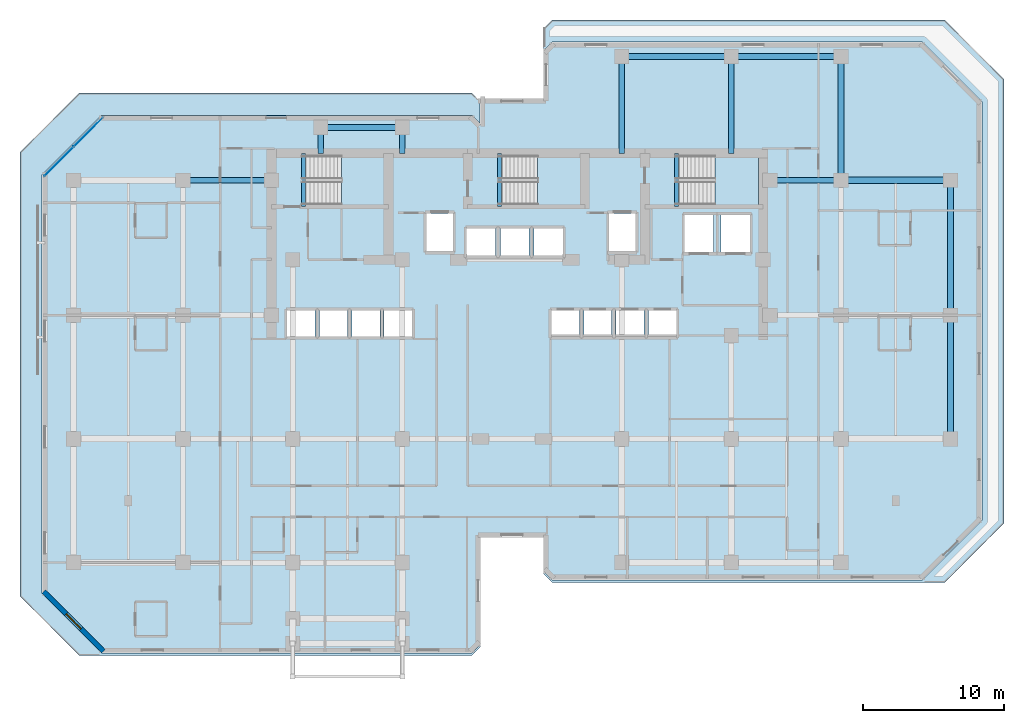
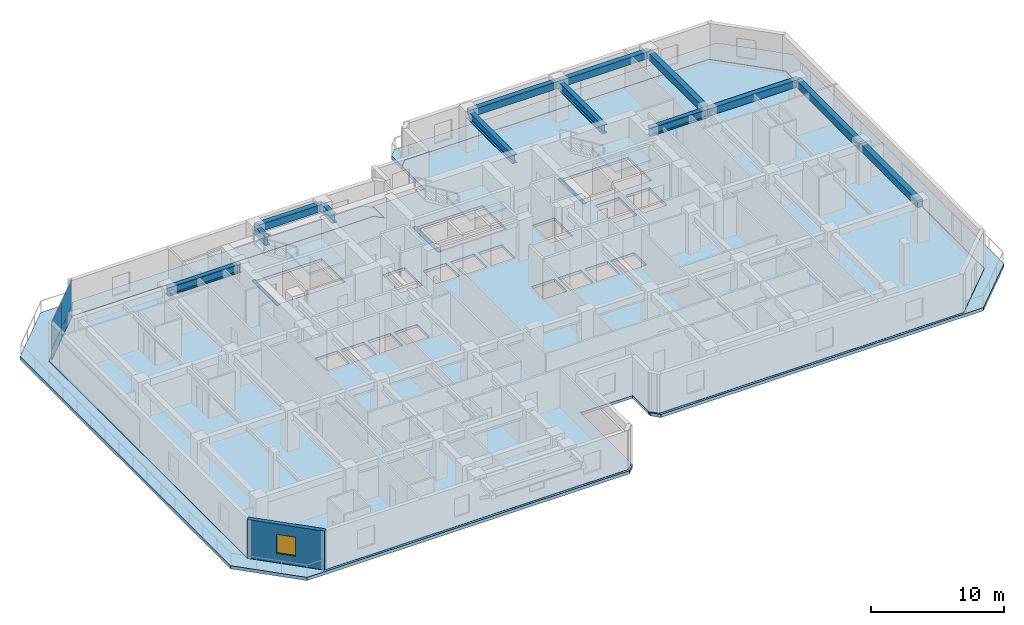
# One storey, part 4 of 11: 16 beams, 6 slabs, 4 plates, 1 wall, 1 window, 1 opening, 4 elements without a shape of their own.
"""IFC4 building model written with IfcOpenShell, lengths in metres."""

from ifc_helpers import new_model, si_unit, direction, frame, frame_2d, origin, origin_2d, place, context, subcontext, project, spatial, polyline, rectangle, i_section, outline, extrude, material, layer, layer_set, material_profile, profile_set, type_object, element, fill, aggregate, save


model = new_model("IFC4")

# Units and contexts
model_context = context("Model", 3, precision=1e-05, world=origin(), true_north=direction((0.0, 1.0)))
body_context = subcontext(model_context, "Body", "Model", "MODEL_VIEW")
ifc_project = project(units=[si_unit("LENGTHUNIT", "METRE"), si_unit("AREAUNIT", "SQUARE_METRE"), si_unit("VOLUMEUNIT", "CUBIC_METRE"), si_unit("PLANEANGLEUNIT", "RADIAN"), si_unit("MASSUNIT", "GRAM", prefix="KILO")], contexts=[model_context])

# Site, building, storey
site_placement = place(None, origin())
site = spatial("IfcSite", under=ifc_project, at=site_placement, CompositionType="ELEMENT")
building_placement = place(site_placement, origin())
building = spatial("IfcBuilding", under=site, at=building_placement, Name="Kestravale Grand Hotel", CompositionType="ELEMENT")
storey_placement = place(building_placement, frame((0.0, 0.0, 134.60009765625)))
storey = spatial("IfcBuildingStorey", under=building, at=storey_placement, Name="L33", CompositionType="ELEMENT", Elevation=134.60009765625)

# Beams
ifc_material_1 = material(Name="Concrete f'c 45 MPa", Category="concrete")
ifc_material_profile_1 = material_profile(ifc_material_1, rectangle(XDim=0.300048828125, YDim=0.39990234375, at=origin_2d()))
ifc_profile_set_1 = profile_set([ifc_material_profile_1], Name="Concrete f'c 45 MPa")
beam_type_1 = type_object("IfcBeamType", Name="B-FLR-LNT400", PredefinedType="LINTEL", material=ifc_profile_set_1)
for number, where, z_axis, x_axis, name in (
    (1, (24.159912109375, 36.52001953125, -0.2001953125), (0.0, 1.0, 0.0), (-1.0, 0.0, 0.0), "L33 ST1 flight bottom header beam"),
    (2, (38.110107421875, 36.52001953125, -0.2001953125), (0.0, 1.0, 0.0), (-1.0, 0.0, 0.0), "L33 ST2 flight bottom header beam"),
    (3, (50.7099609375, 36.52001953125, -0.2001953125), (0.0, 1.0, 0.0), (-1.0, 0.0, 0.0), "L33 ST3 flight bottom header beam"),
):
    element("IfcBeam", number, at=place(storey_placement, frame(where, z_axis=z_axis, x_axis=x_axis)), inside=storey, type_object=beam_type_1, Name=name, PredefinedType="LINTEL", context=body_context, shape_type="SweptSolid", body=[
        extrude(rectangle(XDim=0.300048828125, YDim=0.39990234375, at=origin_2d()), origin(), (0.0, 0.0, 1.0), 3.800048828125),
    ])
ifc_material_2 = material(Name="Concrete f'c 45 MPa", Category="concrete")
ifc_material_profile_2 = material_profile(ifc_material_2, rectangle(XDim=0.449951171875, YDim=0.64990234375, at=origin_2d()))
ifc_profile_set_2 = profile_set([ifc_material_profile_2], Name="Concrete f'c 45 MPa")
beam_type_2 = type_object("IfcBeamType", Name="B-FLR-RC650", PredefinedType="SPANDREL", material=ifc_profile_set_2)
for number, where, z_axis, x_axis, name in (
    (4, (62.39990234375, 38.39990234375, 3.224853515625), (1.0, 0.0, 0.0), (0.0, 1.0, 0.0), "L33 spandrel F:10-11"),
    (5, (46.800048828125, 47.199951171875, 3.224853515625), (1.0, 0.0, 0.0), (0.0, 1.0, 0.0), "L33 spandrel G:8-9"),
):
    element("IfcBeam", number, at=place(storey_placement, frame(where, z_axis=z_axis, x_axis=x_axis)), inside=storey, type_object=beam_type_2, Name=name, PredefinedType="SPANDREL", context=body_context, shape_type="SweptSolid", body=[
        extrude(rectangle(XDim=0.449951171875, YDim=0.64990234375, at=origin_2d()), origin(), (0.0, 0.0, 1.0), 7.800048828125),
    ])
beam_1_placement = place(storey_placement, frame((54.60009765625, 47.199951171875, 3.224853515625), z_axis=(1.0, 0.0, 0.0), x_axis=(0.0, 1.0, 0.0)))
element("IfcBeam", 6, at=beam_1_placement, inside=storey, type_object=beam_type_2, Name="L33 spandrel G:9-10", PredefinedType="SPANDREL", context=body_context, shape_type="SweptSolid", body=[
    extrude(rectangle(XDim=0.449951171875, YDim=0.64990234375, at=origin_2d()), origin(), (0.0, 0.0, 1.0), 7.7998046875),
])
beam_2_placement = place(storey_placement, frame((25.39990234375, 42.14990234375, 3.224853515625), z_axis=(1.0, 0.0, 0.0), x_axis=(0.0, 1.0, 0.0)))
element("IfcBeam", 7, at=beam_2_placement, inside=storey, type_object=beam_type_2, Name="L33 perimeter tie spandrel FN:4-5", PredefinedType="SPANDREL", context=body_context, shape_type="SweptSolid", body=[
    extrude(rectangle(XDim=0.449951171875, YDim=0.64990234375, at=origin_2d()), origin(), (0.0, 0.0, 1.0), 5.800048828125),
])
for number, where, z_axis, x_axis, name in (
    (8, (62.39990234375, 38.39990234375, 3.224853515625), (0.0, 1.0, 0.0), (-1.0, 0.0, 0.0), "L33 spandrel 10:F-G"),
    (9, (70.199951171875, 20.0, 3.224853515625), (0.0, 1.0, 0.0), (-1.0, 0.0, 0.0), "L33 spandrel 11:D-E"),
):
    element("IfcBeam", number, at=place(storey_placement, frame(where, z_axis=z_axis, x_axis=x_axis)), inside=storey, type_object=beam_type_2, Name=name, PredefinedType="SPANDREL", context=body_context, shape_type="SweptSolid", body=[
        extrude(rectangle(XDim=0.449951171875, YDim=0.64990234375, at=origin_2d()), origin(), (0.0, 0.0, 1.0), 8.800048828125),
    ])
beam_3_placement = place(storey_placement, frame((70.199951171875, 28.800048828125, 3.224853515625), z_axis=(0.0, 1.0, 0.0), x_axis=(-1.0, 0.0, 0.0)))
element("IfcBeam", 10, at=beam_3_placement, inside=storey, type_object=beam_type_2, Name="L33 spandrel 11:E-F", PredefinedType="SPANDREL", context=body_context, shape_type="SweptSolid", body=[
    extrude(rectangle(XDim=0.449951171875, YDim=0.64990234375, at=origin_2d()), origin(), (0.0, 0.0, 1.0), 9.599853515625),
])
ifc_material_3 = material(Name="Steel ASTM A992 Grade 50", Category="steel")
ifc_material_profile_3 = material_profile(ifc_material_3, i_section(OverallWidth=0.381103515625, OverallDepth=0.77197265625, WebThickness=0.0166015625, FlangeThickness=0.027099609375, FilletRadius=0.023681640625, at=origin_2d()))
ifc_profile_set_3 = profile_set([ifc_material_profile_3], Name="Steel ASTM A992 Grade 50")
beam_type_3 = type_object("IfcBeamType", Name="B-GRD-W30", PredefinedType="BEAM", material=ifc_profile_set_3)
beam_4_placement = place(storey_placement, frame((15.60009765625, 38.39990234375, 3.163818359375), z_axis=(1.0, 0.0, 0.0), x_axis=(0.0, 1.0, 0.0)))
element("IfcBeam", 11, at=beam_4_placement, inside=storey, type_object=beam_type_3, Name="L33 girder F:3-CW", PredefinedType="BEAM", context=body_context, shape_type="SweptSolid", body=[
    extrude(i_section(OverallWidth=0.381103515625, OverallDepth=0.77197265625, WebThickness=0.0166015625, FlangeThickness=0.027099609375, FilletRadius=0.023681640625, at=origin_2d()), origin(), (0.0, 0.0, 1.0), 6.2998046875),
])
beam_5_placement = place(storey_placement, frame((57.35009765625, 38.39990234375, 3.163818359375), z_axis=(1.0, 0.0, 0.0), x_axis=(0.0, 1.0, 0.0)))
element("IfcBeam", 12, at=beam_5_placement, inside=storey, type_object=beam_type_3, Name="L33 girder F:CE-10", PredefinedType="BEAM", context=body_context, shape_type="SweptSolid", body=[
    extrude(i_section(OverallWidth=0.381103515625, OverallDepth=0.77197265625, WebThickness=0.0166015625, FlangeThickness=0.027099609375, FilletRadius=0.023681640625, at=origin_2d()), origin(), (0.0, 0.0, 1.0), 5.0498046875),
])
for number, where, z_axis, x_axis, name in (
    (13, (25.39990234375, 40.320068359375, 3.163818359375), (0.0, 1.0, 0.0), (-1.0, 0.0, 0.0), "L33 north wing tie girder 4:CN-FN"),
    (14, (31.199951171875, 40.320068359375, 3.163818359375), (0.0, 1.0, 0.0), (-1.0, 0.0, 0.0), "L33 north wing tie girder 5:CN-FN"),
):
    element("IfcBeam", number, at=place(storey_placement, frame(where, z_axis=z_axis, x_axis=x_axis)), inside=storey, type_object=beam_type_3, Name=name, PredefinedType="BEAM", context=body_context, shape_type="SweptSolid", body=[
        extrude(i_section(OverallWidth=0.381103515625, OverallDepth=0.77197265625, WebThickness=0.0166015625, FlangeThickness=0.027099609375, FilletRadius=0.023681640625, at=origin_2d()), origin(), (0.0, 0.0, 1.0), 1.829833984375),
    ])
for number, where, z_axis, x_axis, name in (
    (15, (46.800048828125, 40.320068359375, 3.163818359375), (0.0, 1.0, 0.0), (-1.0, 0.0, 0.0), "L33 north wing tie girder 8:CN-G"),
    (16, (54.60009765625, 40.320068359375, 3.163818359375), (0.0, 1.0, 0.0), (-1.0, 0.0, 0.0), "L33 north wing tie girder 9:CN-G"),
):
    element("IfcBeam", number, at=place(storey_placement, frame(where, z_axis=z_axis, x_axis=x_axis)), inside=storey, type_object=beam_type_3, Name=name, PredefinedType="BEAM", context=body_context, shape_type="SweptSolid", body=[
        extrude(i_section(OverallWidth=0.381103515625, OverallDepth=0.77197265625, WebThickness=0.0166015625, FlangeThickness=0.027099609375, FilletRadius=0.023681640625, at=origin_2d()), origin(), (0.0, 0.0, 1.0), 6.8798828125),
    ])

# Curtain wall, plates
ifc_material_4 = material(Name="Thermally broken champagne-bronze aluminium and low-E glazing", Category="aluminium")
ifc_layer_1 = layer(ifc_material_4, 0.179931640625)
ifc_layer_set_1 = layer_set([ifc_layer_1], Name="CW-Z3")
curtain_wall_type = type_object("IfcCurtainWallType", Name="CW-Z3", PredefinedType="NOTDEFINED", material=ifc_layer_set_1)
curtain_wall_placement = place(storey_placement, origin())
curtain_wall = element("IfcCurtainWall", 17, at=curtain_wall_placement, inside=storey, type_object=curtain_wall_type, Name="L33 unitised curtain wall 18", PredefinedType="NOTDEFINED")
ifc_material_5 = material(Name="Insulated clear low-E double glazing IGU", Category="glass")
ifc_layer_2 = layer(ifc_material_5, 0.031982421875)
ifc_layer_set_2 = layer_set([ifc_layer_2], Name="CW-PNL-32")
plate_type = type_object("IfcPlateType", Name="CW-PNL-32", PredefinedType="CURTAIN_PANEL", material=ifc_layer_set_2)
plate_1_placement = place(storey_placement, frame((8.86572265625, 41.825439453125, 0.06494140625), z_axis=(0.0, 0.0, 1.0), x_axis=(-0.707106781187, -0.707106781187, 0.0)))
plate_1 = element("IfcPlate", 18, at=plate_1_placement, type_object=plate_type, Name="CW-Z3 panel 1.1", PredefinedType="CURTAIN_PANEL", context=body_context, shape_type="SweptSolid", body=[
    extrude(rectangle(XDim=2.892333984375, YDim=0.031982421875, at=origin_2d()), origin(), (0.0, 0.0, 1.0), 0.952392578125),
])
plate_2_placement = place(storey_placement, frame((8.86572265625, 41.825439453125, 1.08251953125), z_axis=(0.0, 0.0, 1.0), x_axis=(-0.707106781187, -0.707106781187, 0.0)))
plate_2 = element("IfcPlate", 19, at=plate_2_placement, type_object=plate_type, Name="CW-Z3 panel 1.2", PredefinedType="CURTAIN_PANEL", context=body_context, shape_type="SweptSolid", body=[
    extrude(rectangle(XDim=2.892333984375, YDim=0.031982421875, at=origin_2d()), origin(), (0.0, 0.0, 1.0), 2.402587890625),
])
plate_3_placement = place(storey_placement, frame((6.774658203125, 39.734130859375, 0.06494140625), z_axis=(0.0, 0.0, 1.0), x_axis=(-0.707106781187, -0.707106781187, 0.0)))
plate_3 = element("IfcPlate", 20, at=plate_3_placement, type_object=plate_type, Name="CW-Z3 panel 2.1", PredefinedType="CURTAIN_PANEL", context=body_context, shape_type="SweptSolid", body=[
    extrude(rectangle(XDim=2.892333984375, YDim=0.031982421875, at=origin_2d()), origin(), (0.0, 0.0, 1.0), 0.952392578125),
])
plate_4_placement = place(storey_placement, frame((6.774658203125, 39.734130859375, 1.08251953125), z_axis=(0.0, 0.0, 1.0), x_axis=(-0.707106781187, -0.707106781187, 0.0)))
plate_4 = element("IfcPlate", 21, at=plate_4_placement, type_object=plate_type, Name="CW-Z3 panel 2.2", PredefinedType="CURTAIN_PANEL", context=body_context, shape_type="SweptSolid", body=[
    extrude(rectangle(XDim=2.892333984375, YDim=0.031982421875, at=origin_2d()), origin(), (0.0, 0.0, 1.0), 2.402587890625),
])
aggregate(curtain_wall, [plate_1, plate_2, plate_3, plate_4])

# Slabs
ifc_material_6 = material(Name="Concrete f'c 45 MPa", Category="concrete")
ifc_layer_3 = layer(ifc_material_6, 0.2900390625)
ifc_layer_set_3 = layer_set([ifc_layer_3], Name="ES-TERR-290")
slab_type_1 = type_object("IfcSlabType", Name="ES-TERR-290", PredefinedType="ROOF", material=ifc_layer_set_3)
slab_1_placement = place(storey_placement, frame((0.0, 0.0, -0.2900390625)))
element("IfcSlab", 22, at=slab_1_placement, inside=storey, type_object=slab_type_1, Name="L33 setback terrace 1", PredefinedType="ROOF", context=body_context, shape_type="SweptSolid", body=[
    extrude(outline(polyline([(41.25, 49.199951171875), (41.85009765625, 49.800048828125), (69.800048828125, 49.800048828125), (74.0, 45.60009765625), (74.0, 14.0), (69.800048828125, 9.800048828125), (41.85009765625, 9.800048828125), (41.25, 10.39990234375), (41.25, 10.57177734375), (41.8359375, 9.98583984375), (41.83740234375, 9.984619140625), (41.8388671875, 9.9833984375), (41.840576171875, 9.982421875), (41.84228515625, 9.9814453125), (41.84423828125, 9.98095703125), (41.84619140625, 9.98046875), (41.847900390625, 9.97998046875), (41.85009765625, 9.97998046875), (68.199951171875, 9.97998046875), (68.201904296875, 9.97998046875), (68.203857421875, 9.98046875), (68.205810546875, 9.98095703125), (68.207763671875, 9.9814453125), (68.20947265625, 9.982421875), (68.211181640625, 9.9833984375), (68.212646484375, 9.984619140625), (68.214111328125, 9.98583984375), (72.4140625, 14.185791015625), (72.41552734375, 14.187255859375), (72.41650390625, 14.18896484375), (72.41748046875, 14.190673828125), (72.41845703125, 14.1923828125), (72.419189453125, 14.194091796875), (72.419677734375, 14.196044921875), (72.419921875, 14.197998046875), (72.419921875, 14.199951171875), (72.419921875, 44.0), (72.419921875, 44.001953125), (72.419677734375, 44.00390625), (72.419189453125, 44.005859375), (72.41845703125, 44.0078125), (72.41748046875, 44.009521484375), (72.41650390625, 44.010986328125), (72.41552734375, 44.0126953125), (72.4140625, 44.01416015625), (68.214111328125, 48.214111328125), (68.212646484375, 48.215576171875), (68.211181640625, 48.216552734375), (68.20947265625, 48.217529296875), (68.207763671875, 48.218505859375), (68.205810546875, 48.218994140625), (68.203857421875, 48.219482421875), (68.201904296875, 48.219970703125), (68.199951171875, 48.219970703125), (41.85009765625, 48.219970703125), (41.847900390625, 48.219970703125), (41.84619140625, 48.219482421875), (41.84423828125, 48.218994140625), (41.84228515625, 48.218505859375), (41.840576171875, 48.217529296875), (41.8388671875, 48.216552734375), (41.83740234375, 48.215576171875), (41.8359375, 48.214111328125), (41.25, 47.62841796875), (41.25, 49.199951171875)])), origin(), (0.0, 0.0, 1.0), 0.2900390625),
])
slab_2_placement = place(storey_placement, frame((0.0, 0.0, -0.2900390625)))
element("IfcSlab", 23, at=slab_2_placement, inside=storey, type_object=slab_type_1, Name="L33 setback terrace 2", PredefinedType="ROOF", context=body_context, shape_type="SweptSolid", body=[
    extrude(outline(polyline([(36.75, 5.199951171875), (36.14990234375, 4.60009765625), (8.199951171875, 4.60009765625), (4.0, 8.800048828125), (4.0, 40.39990234375), (8.199951171875, 44.60009765625), (36.14990234375, 44.60009765625), (36.72998046875, 44.02001953125), (36.72998046875, 42.4482421875), (36.1640625, 43.01416015625), (36.16259765625, 43.015380859375), (36.1611328125, 43.0166015625), (36.159423828125, 43.017578125), (36.15771484375, 43.0185546875), (36.15576171875, 43.01904296875), (36.15380859375, 43.01953125), (36.152099609375, 43.02001953125), (36.14990234375, 43.02001953125), (9.800048828125, 43.02001953125), (9.798095703125, 43.02001953125), (9.796142578125, 43.01953125), (9.794189453125, 43.01904296875), (9.792236328125, 43.0185546875), (9.79052734375, 43.017578125), (9.788818359375, 43.0166015625), (9.787353515625, 43.015380859375), (9.785888671875, 43.01416015625), (5.5859375, 38.814208984375), (5.58447265625, 38.812744140625), (5.58349609375, 38.81103515625), (5.58251953125, 38.809326171875), (5.58154296875, 38.8076171875), (5.580810546875, 38.805908203125), (5.580322265625, 38.803955078125), (5.580078125, 38.802001953125), (5.580078125, 38.800048828125), (5.580078125, 9.0), (5.580078125, 8.998046875), (5.580322265625, 8.99609375), (5.580810546875, 8.994140625), (5.58154296875, 8.9921875), (5.58251953125, 8.990478515625), (5.58349609375, 8.989013671875), (5.58447265625, 8.9873046875), (5.5859375, 8.98583984375), (9.785888671875, 4.785888671875), (9.787353515625, 4.784423828125), (9.788818359375, 4.783447265625), (9.79052734375, 4.782470703125), (9.792236328125, 4.781494140625), (9.794189453125, 4.781005859375), (9.796142578125, 4.780517578125), (9.798095703125, 4.780029296875), (9.800048828125, 4.780029296875), (36.14990234375, 4.780029296875), (36.152099609375, 4.780029296875), (36.15380859375, 4.780517578125), (36.15576171875, 4.781005859375), (36.15771484375, 4.781494140625), (36.159423828125, 4.782470703125), (36.1611328125, 4.783447265625), (36.16259765625, 4.784423828125), (36.1640625, 4.785888671875), (36.75, 5.37158203125), (36.75, 5.199951171875)])), origin(), (0.0, 0.0, 1.0), 0.2900390625),
])

# Stair, slab
ifc_material_7 = material(Name="Concrete f'c 45 MPa", Category="concrete")
stair_type = type_object("IfcStairType", Name="ST-CORE-380", PredefinedType="HALF_TURN_STAIR", material=ifc_material_7)
stair_1_placement = place(storey_placement, origin())
stair_1 = element("IfcStair", 24, at=stair_1_placement, inside=storey, type_object=stair_type, Name="L33 ST-1", PredefinedType="HALF_TURN_STAIR")
ifc_material_8 = material(Name="Concrete f'c 45 MPa", Category="concrete")
ifc_layer_4 = layer(ifc_material_8, 0.199951171875)
ifc_layer_set_4 = layer_set([ifc_layer_4], Name="SLB-ST-LND200")
slab_type_2 = type_object("IfcSlabType", Name="SLB-ST-LND200", PredefinedType="LANDING", material=ifc_layer_set_4)
slab_3_placement = place(storey_placement, frame((0.0, 0.0, 1.699951171875)))
slab_3 = element("IfcSlab", 25, at=slab_3_placement, type_object=slab_type_2, Name="ST-1 landing 1", PredefinedType="LANDING", context=body_context, shape_type="SweptSolid", body=[
    extrude(outline(polyline([(26.8798828125, 36.64990234375), (30.0, 36.64990234375), (30.0, 40.159912109375), (26.8798828125, 40.159912109375), (26.8798828125, 36.64990234375)])), origin(), (0.0, 0.0, 1.0), 0.199951171875),
])
aggregate(stair_1, [slab_3])

stair_2_placement = place(storey_placement, origin())
stair_2 = element("IfcStair", 26, at=stair_2_placement, inside=storey, type_object=stair_type, Name="L33 ST-2", PredefinedType="HALF_TURN_STAIR")
slab_4_placement = place(storey_placement, frame((0.0, 0.0, 1.699951171875)))
slab_4 = element("IfcSlab", 27, at=slab_4_placement, type_object=slab_type_2, Name="ST-2 landing 1", PredefinedType="LANDING", context=body_context, shape_type="SweptSolid", body=[
    extrude(outline(polyline([(40.830078125, 36.64990234375), (43.949951171875, 36.64990234375), (43.949951171875, 40.159912109375), (40.830078125, 40.159912109375), (40.830078125, 36.64990234375)])), origin(), (0.0, 0.0, 1.0), 0.199951171875),
])
aggregate(stair_2, [slab_4])

stair_3_placement = place(storey_placement, origin())
stair_3 = element("IfcStair", 28, at=stair_3_placement, inside=storey, type_object=stair_type, Name="L33 ST-3", PredefinedType="HALF_TURN_STAIR")
slab_5_placement = place(storey_placement, frame((0.0, 0.0, 1.699951171875)))
slab_5 = element("IfcSlab", 29, at=slab_5_placement, type_object=slab_type_2, Name="ST-3 landing 1", PredefinedType="LANDING", context=body_context, shape_type="SweptSolid", body=[
    extrude(outline(polyline([(53.429931640625, 36.64990234375), (56.550048828125, 36.64990234375), (56.550048828125, 40.159912109375), (53.429931640625, 40.159912109375), (53.429931640625, 36.64990234375)])), origin(), (0.0, 0.0, 1.0), 0.199951171875),
])
aggregate(stair_3, [slab_5])

# Slab
ifc_material_9 = material(Name="Concrete f'c 45 MPa", Category="concrete")
ifc_layer_5 = layer(ifc_material_9, 0.25)
ifc_layer_set_5 = layer_set([ifc_layer_5], Name="SS-FLR-250")
slab_type_3 = type_object("IfcSlabType", Name="SS-FLR-250", PredefinedType="FLOOR", material=ifc_layer_set_5)
slab_6_placement = place(storey_placement, frame((0.0, 0.0, -0.25)))
element("IfcSlab", 30, at=slab_6_placement, inside=storey, type_object=slab_type_3, Name="L33 structural floor slab", PredefinedType="FLOOR", context=body_context, shape_type="SweptSolid", body=[
    extrude(outline(polyline([(9.800048828125, 4.800048828125), (36.14990234375, 4.800048828125), (36.75, 5.39990234375), (36.75, 13.0), (41.25, 13.0), (41.25, 10.60009765625), (41.85009765625, 10.0), (68.199951171875, 10.0), (72.39990234375, 14.199951171875), (72.39990234375, 44.0), (68.199951171875, 48.199951171875), (41.85009765625, 48.199951171875), (41.25, 47.60009765625), (41.25, 44.199951171875), (36.75, 44.199951171875), (36.75, 42.39990234375), (36.14990234375, 43.0), (9.800048828125, 43.0), (5.60009765625, 38.800048828125), (5.60009765625, 9.0), (9.800048828125, 4.800048828125)]), holes=[polyline([(24.080078125, 36.64990234375), (30.0, 36.64990234375), (30.0, 40.159912109375), (24.080078125, 40.159912109375), (24.080078125, 36.64990234375)]), polyline([(38.030029296875, 36.64990234375), (43.949951171875, 36.64990234375), (43.949951171875, 40.159912109375), (38.030029296875, 40.159912109375), (38.030029296875, 36.64990234375)]), polyline([(50.6298828125, 36.64990234375), (56.550048828125, 36.64990234375), (56.550048828125, 40.159912109375), (50.6298828125, 40.159912109375), (50.6298828125, 36.64990234375)]), polyline([(23.0048828125, 27.280029296875), (24.9951171875, 27.280029296875), (24.9951171875, 29.1201171875), (23.0048828125, 29.1201171875), (23.0048828125, 27.280029296875)]), polyline([(25.304931640625, 27.280029296875), (27.294921875, 27.280029296875), (27.294921875, 29.1201171875), (25.304931640625, 29.1201171875), (25.304931640625, 27.280029296875)]), polyline([(27.60498046875, 27.280029296875), (29.594970703125, 27.280029296875), (29.594970703125, 29.1201171875), (27.60498046875, 29.1201171875), (27.60498046875, 27.280029296875)]), polyline([(29.905029296875, 27.280029296875), (31.89501953125, 27.280029296875), (31.89501953125, 29.1201171875), (29.905029296875, 29.1201171875), (29.905029296875, 27.280029296875)]), polyline([(41.804931640625, 27.280029296875), (43.794921875, 27.280029296875), (43.794921875, 29.1201171875), (41.804931640625, 29.1201171875), (41.804931640625, 27.280029296875)]), polyline([(44.10498046875, 27.280029296875), (46.094970703125, 27.280029296875), (46.094970703125, 29.1201171875), (44.10498046875, 29.1201171875), (44.10498046875, 27.280029296875)]), polyline([(46.405029296875, 27.280029296875), (48.39501953125, 27.280029296875), (48.39501953125, 29.1201171875), (46.405029296875, 29.1201171875), (46.405029296875, 27.280029296875)]), polyline([(48.705078125, 27.280029296875), (50.695068359375, 27.280029296875), (50.695068359375, 29.1201171875), (48.705078125, 29.1201171875), (48.705078125, 27.280029296875)]), polyline([(35.780029296875, 33.030029296875), (37.820068359375, 33.030029296875), (37.820068359375, 34.969970703125), (35.780029296875, 34.969970703125), (35.780029296875, 33.030029296875)]), polyline([(38.179931640625, 33.030029296875), (40.219970703125, 33.030029296875), (40.219970703125, 34.969970703125), (38.179931640625, 34.969970703125), (38.179931640625, 33.030029296875)]), polyline([(40.580078125, 33.030029296875), (42.6201171875, 33.030029296875), (42.6201171875, 34.969970703125), (40.580078125, 34.969970703125), (40.580078125, 33.030029296875)]), polyline([(32.905029296875, 33.35498046875), (34.794921875, 33.35498046875), (34.794921875, 36.044921875), (32.905029296875, 36.044921875), (32.905029296875, 33.35498046875)]), polyline([(45.905029296875, 33.35498046875), (47.794921875, 33.35498046875), (47.794921875, 36.044921875), (45.905029296875, 36.044921875), (45.905029296875, 33.35498046875)]), polyline([(51.280029296875, 33.280029296875), (53.320068359375, 33.280029296875), (53.320068359375, 35.919921875), (51.280029296875, 35.919921875), (51.280029296875, 33.280029296875)]), polyline([(53.8798828125, 33.280029296875), (55.919921875, 33.280029296875), (55.919921875, 35.919921875), (53.8798828125, 35.919921875), (53.8798828125, 33.280029296875)])]), origin(), (0.0, 0.0, 1.0), 0.25),
])

# Wall, opening, window
ifc_material_10 = material(Name="Precast concrete f'c 45 MPa", Category="concrete")
ifc_layer_6 = layer(ifc_material_10, 0.340087890625)
ifc_layer_set_6 = layer_set([ifc_layer_6], Name="EW-PREC-340")
wall_type = type_object("IfcWallType", Name="EW-PREC-340", PredefinedType="SOLIDWALL", material=ifc_layer_set_6)
wall_placement = place(storey_placement, frame((5.69189453125, 9.1484375, 0.0), z_axis=(0.0, 0.0, 1.0), x_axis=(0.707106781187, -0.707106781187, 0.0)))
wall = element("IfcWall", 31, at=wall_placement, inside=storey, type_object=wall_type, Name="L33 fluted precast facade wall 20", PredefinedType="SOLIDWALL", context=body_context, shape_type="SweptSolid", body=[
    extrude(rectangle(XDim=6.019775390625, YDim=0.340087890625, at=frame_2d((3.009765625, 0.0))), origin(), (0.0, 0.0, 1.0), 3.5498046875),
])
opening_placement = place(wall_placement, frame((2.260009765625, 0.0, 0.85009765625)))
opening = element("IfcOpeningElement", 32, at=opening_placement, cuts=wall, Name="Opening W-GUEST-1500", PredefinedType="OPENING", context=body_context, shape_type="SweptSolid", body=[
    extrude(rectangle(XDim=1.5, YDim=1.75, at=frame_2d((0.75, 0.875))), frame((0.0, 0.179931640625, 0.0), z_axis=(0.0, -1.0, 0.0), x_axis=(1.0, 0.0, 0.0)), (0.0, 0.0, 1.0), 0.360107421875),
])
ifc_material_11 = material(Name="Insulated low-E double glazing in aluminium frame", Category="aluminium")
window_type = type_object("IfcWindowType", Name="W-GUEST-1500", PartitioningType="SINGLE_PANEL", PredefinedType="WINDOW", material=ifc_material_11)
window_placement = place(opening_placement, origin())
window = element("IfcWindow", 33, at=window_placement, inside=storey, type_object=window_type, Name="L33 exterior window 20.1", OverallHeight=1.75, OverallWidth=1.5, PartitioningType="SINGLE_PANEL", PredefinedType="WINDOW", context=body_context, shape_type="SweptSolid", body=[
    extrude(rectangle(XDim=1.5, YDim=1.75, at=frame_2d((0.75, 0.875))), frame((0.0, 0.030029296875, 0.0), z_axis=(0.0, -1.0, 0.0), x_axis=(1.0, 0.0, 0.0)), (0.0, 0.0, 1.0), 0.06005859375),
])
fill(opening, window)

save(model, "model.ifc")
